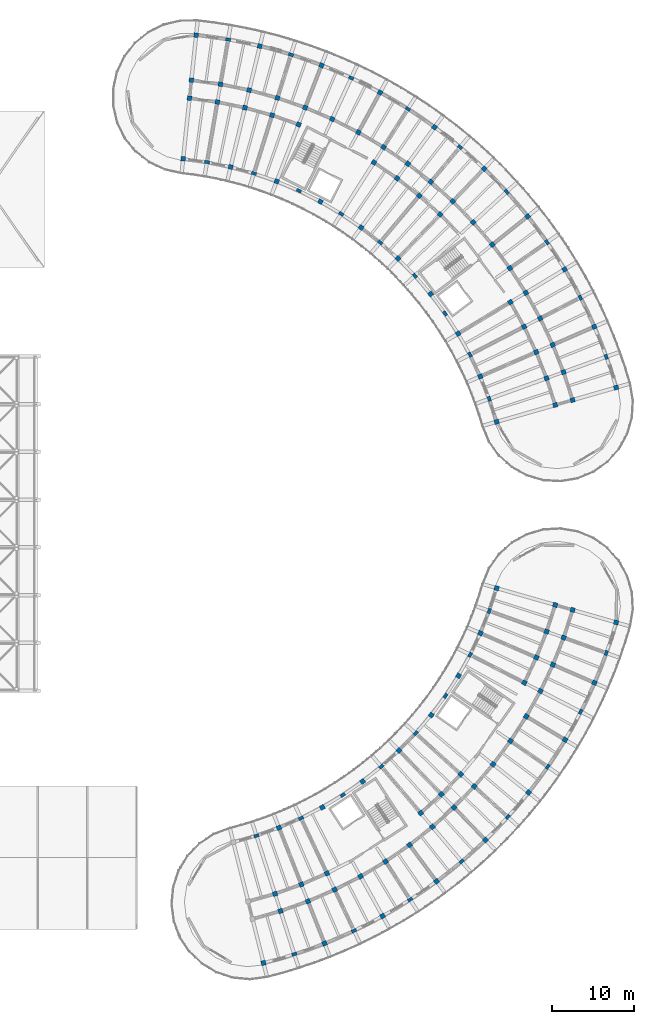
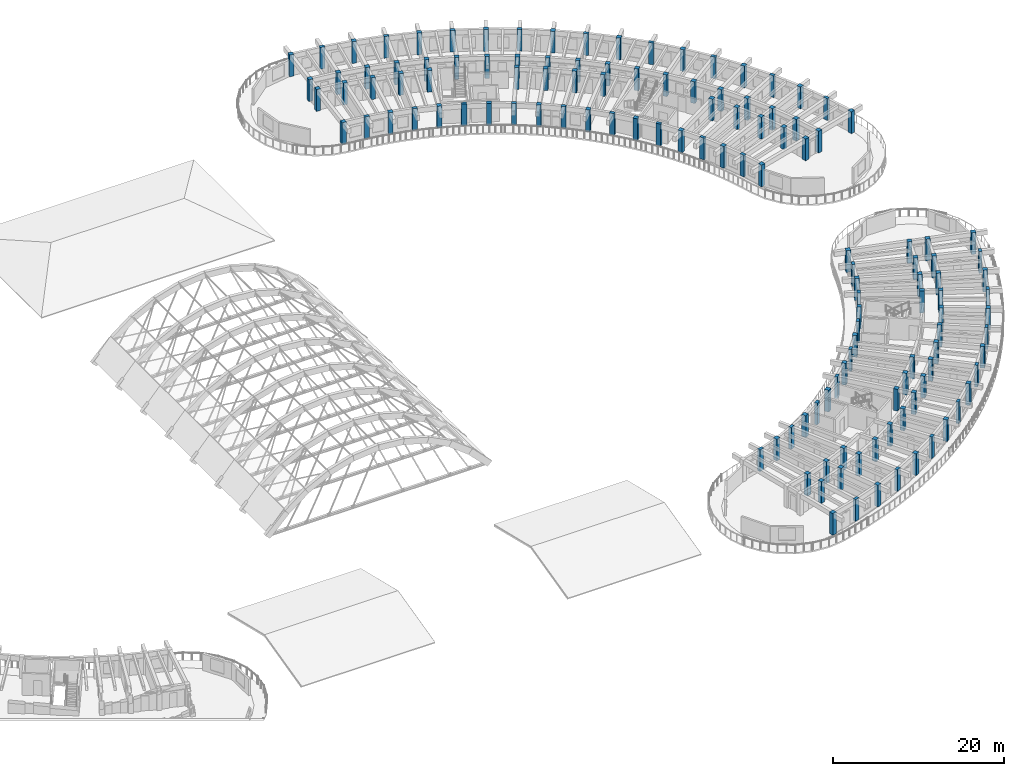
# One storey, part 3 of 81: 130 columns.
"""IFC4 building model written with IfcOpenShell, lengths in metres."""

from ifc_helpers import new_model, si_unit, direction, frame, origin, origin_2d, place, context, subcontext, project, spatial, rectangle, extrude, material, material_profile, profile_set, type_object, element, save


model = new_model("IFC4")

# Units and contexts
model_context = context("Model", 3, precision=1e-05, world=origin(), true_north=direction((0.0, 1.0)))
body_context = subcontext(model_context, "Body", "Model", "MODEL_VIEW")
ifc_project = project(units=[si_unit("LENGTHUNIT", "METRE"), si_unit("AREAUNIT", "SQUARE_METRE"), si_unit("VOLUMEUNIT", "CUBIC_METRE"), si_unit("PLANEANGLEUNIT", "RADIAN"), si_unit("MASSUNIT", "GRAM", prefix="KILO")], contexts=[model_context])

# Site, building, storey
site_placement = place(None, origin())
site = spatial("IfcSite", under=ifc_project, at=site_placement, CompositionType="ELEMENT")
building_placement = place(site_placement, origin())
building = spatial("IfcBuilding", under=site, at=building_placement, Name="Tanwirah Colonnade Gardens", CompositionType="ELEMENT")
storey_placement = place(building_placement, frame((0.0, 0.0, 8.840087890625)))
storey = spatial("IfcBuildingStorey", under=building, at=storey_placement, Name="L02", CompositionType="ELEMENT", Elevation=8.840087890625)

# Columns
ifc_material_1 = material(Name="Precast concrete C40/50", Category="concrete")
ifc_material_profile_1 = material_profile(ifc_material_1, rectangle(XDim=0.56005859375, YDim=0.56005859375, at=origin_2d()), Name="PC-COL 560x560")
ifc_profile_set_1 = profile_set([ifc_material_profile_1], Name="Precast concrete C40/50")
column_type_1 = type_object("IfcColumnType", Name="C-PC480", PredefinedType="COLUMN", material=ifc_profile_set_1)
for number, where, z_axis, x_axis, name in (
    (1, (135.406494140625, 6.718994140625, 0.0), (0.0, 0.0, 1.0), (0.2419218956, -0.970295726276, 0.0), "Block D L02 Column 0-R3"),
    (2, (136.80712890625, 15.1181640625, 0.0), (0.0, 0.0, 1.0), (0.304864299028, -0.952395799643, 0.0), "Block D L02 Column 1-R1"),
    (3, (137.47802734375, 13.02294921875, 0.0), (0.0, 0.0, 1.0), (0.304864299028, -0.952395799643, 0.0), "Block D L02 Column 1-R2"),
    (4, (137.291015625, 23.142822265625, 0.0), (0.0, 0.0, 1.0), (0.366501226724, -0.930417567982, 0.0), "Block D L02 Column 2-R0"),
    (5, (140.003173828125, 16.2578125, 0.0), (0.0, 0.0, 1.0), (0.366501226724, -0.930417567982, 0.0), "Block D L02 Column 2-R1"),
    (6, (140.809326171875, 14.2109375, 0.0), (0.0, 0.0, 1.0), (0.366501226724, -0.930417567982, 0.0), "Block D L02 Column 2-R2"),
    (7, (142.8251953125, 9.09375, 0.0), (0.0, 0.0, 1.0), (0.366501226724, -0.930417567982, 0.0), "Block D L02 Column 2-R3"),
    (8, (143.11767578125, 17.60400390625, 0.0), (0.0, 0.0, 1.0), (0.426568739901, -0.904455145454, 0.0), "Block D L02 Column 3-R1"),
    (9, (144.05615234375, 15.6142578125, 0.0), (0.0, 0.0, 1.0), (0.426568739901, -0.904455145454, 0.0), "Block D L02 Column 3-R2"),
    (10, (142.5498046875, 25.623046875, 0.0), (0.0, 0.0, 1.0), (0.484809620246, -0.874619707139, 0.0), "Block D L02 Column 4-R0"),
    (11, (147.203857421875, 17.226806640625, 0.0), (0.0, 0.0, 1.0), (0.484809620246, -0.874619707139, 0.0), "Block D L02 Column 4-R2"),
    (12, (149.870361328125, 12.41650390625, 0.0), (0.0, 0.0, 1.0), (0.484809620246, -0.874619707139, 0.0), "Block D L02 Column 4-R3"),
    (13, (150.23974609375, 19.041748046875, 0.0), (0.0, 0.0, 1.0), (0.540974471368, -0.841039012964, 0.0), "Block D L02 Column 5-R2"),
    (14, (147.43994140625, 28.7685546875, 0.0), (0.0, 0.0, 1.0), (0.594822786751, -0.803856860617, 0.0), "Block D L02 Column 6-R0"),
    (15, (153.150146484375, 21.051513671875, 0.0), (0.0, 0.0, 1.0), (0.594822786751, -0.803856860617, 0.0), "Block D L02 Column 6-R2"),
    (16, (156.421630859375, 16.63037109375, 0.0), (0.0, 0.0, 1.0), (0.594822786751, -0.803856860617, 0.0), "Block D L02 Column 6-R3"),
    (17, (154.50146484375, 24.926513671875, 0.0), (0.0, 0.0, 1.0), (0.646123979643, -0.763232469783, 0.0), "Block D L02 Column 7-R1"),
    (18, (155.923095703125, 23.247314453125, 0.0), (0.0, 0.0, 1.0), (0.646123979643, -0.763232469783, 0.0), "Block D L02 Column 7-R2"),
    (19, (151.877685546875, 32.525390625, 0.0), (0.0, 0.0, 1.0), (0.694658370459, -0.719339800339, 0.0), "Block D L02 Column 8-R0"),
    (20, (157.01806640625, 27.2021484375, 0.0), (0.0, 0.0, 1.0), (0.694658370459, -0.719339800339, 0.0), "Block D L02 Column 8-R1"),
    (21, (158.54638671875, 25.61962890625, 0.0), (0.0, 0.0, 1.0), (0.694658370459, -0.719339800339, 0.0), "Block D L02 Column 8-R2"),
    (22, (162.366943359375, 21.663330078125, 0.0), (0.0, 0.0, 1.0), (0.694658370459, -0.719339800339, 0.0), "Block D L02 Column 8-R3"),
    (23, (159.38037109375, 29.6376953125, 0.0), (0.0, 0.0, 1.0), (0.740218127487, -0.672366807435, 0.0), "Block D L02 Column 9-R1"),
    (24, (161.0087890625, 28.15869140625, 0.0), (0.0, 0.0, 1.0), (0.740218127487, -0.672366807435, 0.0), "Block D L02 Column 9-R2"),
    (25, (155.786865234375, 36.829345703125, 0.0), (0.0, 0.0, 1.0), (0.782608156852, -0.622514636638, 0.0), "Block D L02 Column 10-R0"),
    (26, (163.300048828125, 30.85302734375, 0.0), (0.0, 0.0, 1.0), (0.782608156852, -0.622514636638, 0.0), "Block D L02 Column 10-R2"),
    (27, (167.604248046875, 27.42919921875, 0.0), (0.0, 0.0, 1.0), (0.782608156852, -0.622514636638, 0.0), "Block D L02 Column 10-R3"),
    (28, (165.409912109375, 33.691650390625, 0.0), (0.0, 0.0, 1.0), (0.821646937942, -0.569996762596, 0.0), "Block D L02 Column 11-R2"),
    (29, (159.10107421875, 41.6064453125, 0.0), (0.0, 0.0, 1.0), (0.857167300702, -0.51503807491, 0.0), "Block D L02 Column 12-R0"),
    (30, (167.329833984375, 36.662109375, 0.0), (0.0, 0.0, 1.0), (0.857167300702, -0.51503807491, 0.0), "Block D L02 Column 12-R2"),
    (31, (172.04443359375, 33.82958984375, 0.0), (0.0, 0.0, 1.0), (0.857167300702, -0.51503807491, 0.0), "Block D L02 Column 12-R3"),
    (32, (167.095458984375, 40.75927734375, 0.0), (0.0, 0.0, 1.0), (0.889017141486, -0.457873915117, 0.0), "Block D L02 Column 13-R1"),
    (33, (169.05126953125, 39.751953125, 0.0), (0.0, 0.0, 1.0), (0.889017141486, -0.457873915117, 0.0), "Block D L02 Column 13-R2"),
    (34, (161.763427734375, 46.775634765625, 0.0), (0.0, 0.0, 1.0), (0.917060074385, -0.398749068925, 0.0), "Block D L02 Column 14-R0"),
    (35, (168.549560546875, 43.824951171875, 0.0), (0.0, 0.0, 1.0), (0.917060074385, -0.398749068925, 0.0), "Block D L02 Column 14-R1"),
    (36, (170.567138671875, 42.947509765625, 0.0), (0.0, 0.0, 1.0), (0.917060074385, -0.398749068925, 0.0), "Block D L02 Column 14-R2"),
    (37, (175.61083984375, 40.75439453125, 0.0), (0.0, 0.0, 1.0), (0.917060074385, -0.398749068925, 0.0), "Block D L02 Column 14-R3"),
    (38, (169.800048828125, 46.97900390625, 0.0), (0.0, 0.0, 1.0), (0.941176015256, -0.337916718003, 0.0), "Block D L02 Column 15-R1"),
    (39, (171.87060546875, 46.235595703125, 0.0), (0.0, 0.0, 1.0), (0.941176015256, -0.337916718003, 0.0), "Block D L02 Column 15-R2"),
    (40, (163.72802734375, 52.247802734375, 0.0), (0.0, 0.0, 1.0), (0.961261695938, -0.275637355817, 0.0), "Block D L02 Column 16-R0"),
    (41, (170.84130859375, 50.208251953125, 0.0), (0.0, 0.0, 1.0), (0.961261695938, -0.275637355817, 0.0), "Block D L02 Column 16-R1"),
    (42, (172.956298828125, 49.601806640625, 0.0), (0.0, 0.0, 1.0), (0.961261695938, -0.275637355817, 0.0), "Block D L02 Column 16-R2"),
    (43, (178.2431640625, 48.085693359375, 0.0), (0.0, 0.0, 1.0), (0.961261695938, -0.275637355817, 0.0), "Block D L02 Column 16-R3"),
):
    element("IfcColumn", number, at=place(storey_placement, frame(where, z_axis=z_axis, x_axis=x_axis)), inside=storey, type_object=column_type_1, Name=name, PredefinedType="COLUMN", context=body_context, shape_type="SweptSolid", body=[
        extrude(rectangle(XDim=0.56005859375, YDim=0.56005859375, at=origin_2d()), origin(), (0.0, 0.0, 1.0), 3.10498046875),
    ])
ifc_material_2 = material(Name="Precast concrete C45/55", Category="concrete")
ifc_material_profile_2 = material_profile(ifc_material_2, rectangle(XDim=0.550048828125, YDim=0.550048828125, at=origin_2d()), Name="PC-COL 550x550")
ifc_profile_set_2 = profile_set([ifc_material_profile_2], Name="Precast concrete C45/55")
column_type_2 = type_object("IfcColumnType", Name="C-PC550", PredefinedType="COLUMN", material=ifc_profile_set_2)
for number, where, z_axis, x_axis, name in (
    (44, (163.72802734375, 72.4521484375, 0.0), (0.0, 0.0, 1.0), (0.961261695938, 0.275637355817, 0.0), "Block B L02 Column 0-R0"),
    (45, (170.84130859375, 74.49169921875, 0.0), (0.0, 0.0, 1.0), (0.961261695938, 0.275637355817, 0.0), "Block B L02 Column 0-R1"),
    (46, (172.956298828125, 75.09814453125, 0.0), (0.0, 0.0, 1.0), (0.961261695938, 0.275637355817, 0.0), "Block B L02 Column 0-R2"),
    (47, (178.2431640625, 76.6142578125, 0.0), (0.0, 0.0, 1.0), (0.961261695938, 0.275637355817, 0.0), "Block B L02 Column 0-R3"),
    (48, (169.79150390625, 77.74462890625, 0.0), (0.0, 0.0, 1.0), (0.941012076693, 0.338372976931, 0.0), "Block B L02 Column 1-R1"),
    (49, (171.86181640625, 78.489013671875, 0.0), (0.0, 0.0, 1.0), (0.941012076693, 0.338372976931, 0.0), "Block B L02 Column 1-R2"),
    (50, (161.74609375, 77.9638671875, 0.0), (0.0, 0.0, 1.0), (0.916673002238, 0.39963809499, 0.0), "Block B L02 Column 2-R0"),
    (51, (168.529541015625, 80.921142578125, 0.0), (0.0, 0.0, 1.0), (0.916673002238, 0.39963809499, 0.0), "Block B L02 Column 2-R1"),
    (52, (170.546142578125, 81.800537109375, 0.0), (0.0, 0.0, 1.0), (0.916673002238, 0.39963809499, 0.0), "Block B L02 Column 2-R2"),
    (53, (175.587890625, 83.99853515625, 0.0), (0.0, 0.0, 1.0), (0.916673002238, 0.39963809499, 0.0), "Block B L02 Column 2-R3"),
    (54, (167.06103515625, 84.0078125, 0.0), (0.0, 0.0, 1.0), (0.88835024545, 0.459166463723, 0.0), "Block B L02 Column 3-R1"),
    (55, (169.015380859375, 85.01806640625, 0.0), (0.0, 0.0, 1.0), (0.88835024545, 0.459166463723, 0.0), "Block B L02 Column 3-R2"),
    (56, (159.056640625, 83.167236328125, 0.0), (0.0, 0.0, 1.0), (0.856166891514, 0.516699384434, 0.0), "Block B L02 Column 4-R0"),
    (57, (165.392333984375, 86.990966796875, 0.0), (0.0, 0.0, 1.0), (0.856166891514, 0.516699384434, 0.0), "Block B L02 Column 4-R1"),
    (58, (167.27587890625, 88.127685546875, 0.0), (0.0, 0.0, 1.0), (0.856166891514, 0.516699384434, 0.0), "Block B L02 Column 4-R2"),
    (59, (171.984619140625, 90.969482421875, 0.0), (0.0, 0.0, 1.0), (0.856166891514, 0.516699384434, 0.0), "Block B L02 Column 4-R3"),
    (60, (165.335205078125, 91.115966796875, 0.0), (0.0, 0.0, 1.0), (0.820262803018, 0.571986830255, 0.0), "Block B L02 Column 5-R2"),
    (61, (155.706298828125, 87.971923828125, 0.0), (0.0, 0.0, 1.0), (0.780794012137, 0.624788532714, 0.0), "Block B L02 Column 6-R0"),
    (62, (163.201904296875, 93.9697265625, 0.0), (0.0, 0.0, 1.0), (0.780794012137, 0.624788532714, 0.0), "Block B L02 Column 6-R2"),
    (63, (167.496337890625, 97.40625, 0.0), (0.0, 0.0, 1.0), (0.780794012137, 0.624788532714, 0.0), "Block B L02 Column 6-R3"),
    (64, (160.88525390625, 96.677001953125, 0.0), (0.0, 0.0, 1.0), (0.73793204255, 0.674875025896, 0.0), "Block B L02 Column 7-R2"),
    (65, (151.75341796875, 92.294189453125, 0.0), (0.0, 0.0, 1.0), (0.691863164029, 0.722028643656, 0.0), "Block B L02 Column 8-R0"),
    (66, (156.873046875, 97.63720703125, 0.0), (0.0, 0.0, 1.0), (0.691863164029, 0.722028643656, 0.0), "Block B L02 Column 8-R1"),
    (67, (158.395263671875, 99.2255859375, 0.0), (0.0, 0.0, 1.0), (0.691863164029, 0.722028643656, 0.0), "Block B L02 Column 8-R2"),
    (68, (162.200439453125, 103.19677734375, 0.0), (0.0, 0.0, 1.0), (0.691863164029, 0.722028643656, 0.0), "Block B L02 Column 8-R3"),
    (69, (154.32861328125, 99.91943359375, 0.0), (0.0, 0.0, 1.0), (0.642787582947, 0.766044465556, 0.0), "Block B L02 Column 9-R1"),
    (70, (155.74267578125, 101.604736328125, 0.0), (0.0, 0.0, 1.0), (0.642787582947, 0.766044465556, 0.0), "Block B L02 Column 9-R2"),
    (71, (147.266357421875, 96.05908203125, 0.0), (0.0, 0.0, 1.0), (0.590918572221, 0.806731207407, 0.0), "Block B L02 Column 10-R0"),
    (72, (151.63916015625, 102.029052734375, 0.0), (0.0, 0.0, 1.0), (0.590918572221, 0.806731207407, 0.0), "Block B L02 Column 10-R1"),
    (73, (152.939208984375, 103.8037109375, 0.0), (0.0, 0.0, 1.0), (0.590918572221, 0.806731207407, 0.0), "Block B L02 Column 10-R2"),
    (74, (156.189208984375, 108.24072265625, 0.0), (0.0, 0.0, 1.0), (0.590918572221, 0.806731207407, 0.0), "Block B L02 Column 10-R3"),
    (75, (148.816650390625, 103.956787109375, 0.0), (0.0, 0.0, 1.0), (0.536481544469, 0.843912052553, 0.0), "Block B L02 Column 11-R1"),
    (76, (149.996826171875, 105.8134765625, 0.0), (0.0, 0.0, 1.0), (0.536481544469, 0.843912052553, 0.0), "Block B L02 Column 11-R2"),
    (77, (142.3232421875, 99.20166015625, 0.0), (0.0, 0.0, 1.0), (0.479713072413, 0.877425420281, 0.0), "Block B L02 Column 12-R0"),
    (78, (146.928466796875, 107.624755859375, 0.0), (0.0, 0.0, 1.0), (0.479713072413, 0.877425420281, 0.0), "Block B L02 Column 12-R2"),
    (79, (149.56689453125, 112.45068359375, 0.0), (0.0, 0.0, 1.0), (0.479713072413, 0.877425420281, 0.0), "Block B L02 Column 12-R3"),
    (80, (143.74755859375, 109.230224609375, 0.0), (0.0, 0.0, 1.0), (0.420859860775, 0.907125668024, 0.0), "Block B L02 Column 13-R2"),
    (81, (137.010009765625, 101.666748046875, 0.0), (0.0, 0.0, 1.0), (0.36017767415, 0.932883724289, 0.0), "Block B L02 Column 14-R0"),
    (82, (139.67529296875, 108.570068359375, 0.0), (0.0, 0.0, 1.0), (0.36017767415, 0.932883724289, 0.0), "Block B L02 Column 14-R1"),
    (83, (140.467529296875, 110.622314453125, 0.0), (0.0, 0.0, 1.0), (0.36017767415, 0.932883724289, 0.0), "Block B L02 Column 14-R2"),
    (84, (142.448486328125, 115.753173828125, 0.0), (0.0, 0.0, 1.0), (0.36017767415, 0.932883724289, 0.0), "Block B L02 Column 14-R3"),
    (85, (136.44775390625, 109.6953125, 0.0), (0.0, 0.0, 1.0), (0.297930225503, 0.954587649581, 0.0), "Block B L02 Column 15-R1"),
    (86, (137.10302734375, 111.79541015625, 0.0), (0.0, 0.0, 1.0), (0.297930225503, 0.954587649581, 0.0), "Block B L02 Column 15-R2"),
    (87, (131.41845703125, 103.411865234375, 0.0), (0.0, 0.0, 1.0), (0.234388030122, 0.972143122866, 0.0), "Block B L02 Column 16-R0"),
    (88, (133.153076171875, 110.605712890625, 0.0), (0.0, 0.0, 1.0), (0.234388030122, 0.972143122866, 0.0), "Block B L02 Column 16-R1"),
    (89, (133.668701171875, 112.744384765625, 0.0), (0.0, 0.0, 1.0), (0.234388030122, 0.972143122866, 0.0), "Block B L02 Column 16-R2"),
    (90, (134.957763671875, 118.091064453125, 0.0), (0.0, 0.0, 1.0), (0.234388030122, 0.972143122866, 0.0), "Block B L02 Column 16-R3"),
    (91, (129.8056640625, 111.296875, 0.0), (0.0, 0.0, 1.0), (0.169827230012, 0.985473851478, 0.0), "Block B L02 Column 17-R1"),
    (92, (130.17919921875, 113.46484375, 0.0), (0.0, 0.0, 1.0), (0.169827230012, 0.985473851478, 0.0), "Block B L02 Column 17-R2"),
    (93, (125.646240234375, 104.406494140625, 0.0), (0.0, 0.0, 1.0), (0.104528393837, 0.994521902666, 0.0), "Block B L02 Column 18-R0"),
    (94, (126.419677734375, 111.765869140625, 0.0), (0.0, 0.0, 1.0), (0.104528393837, 0.994521902666, 0.0), "Block B L02 Column 18-R1"),
    (95, (126.649658203125, 113.953857421875, 0.0), (0.0, 0.0, 1.0), (0.104528393837, 0.994521902666, 0.0), "Block B L02 Column 18-R2"),
    (96, (127.224609375, 119.423828125, 0.0), (0.0, 0.0, 1.0), (0.104528393837, 0.994521902666, 0.0), "Block B L02 Column 18-R3"),
):
    element("IfcColumn", number, at=place(storey_placement, frame(where, z_axis=z_axis, x_axis=x_axis)), inside=storey, type_object=column_type_2, Name=name, PredefinedType="COLUMN", context=body_context, shape_type="SweptSolid", body=[
        extrude(rectangle(XDim=0.550048828125, YDim=0.550048828125, at=origin_2d()), origin(), (0.0, 0.0, 1.0), 3.10498046875),
    ])
ifc_material_profile_3 = material_profile(ifc_material_1, rectangle(XDim=0.3798828125, YDim=0.6201171875, at=origin_2d()), Name="PC-PIL 380x620")
ifc_profile_set_3 = profile_set([ifc_material_profile_3], Name="Precast concrete C40/50")
column_type_3 = type_object("IfcColumnType", Name="PIL-380", PredefinedType="PILASTER", material=ifc_profile_set_3)
for number, where, z_axis, x_axis, name in (
    (97, (162.827880859375, 75.24072265625, 0.0), (0.0, 0.0, 1.0), (0.941012076693, 0.338372976931, 0.0), "Block B L02 Column 1-R0"),
    (98, (177.037353515625, 80.35009765625, 0.0), (0.0, 0.0, 1.0), (0.941012076693, 0.338372976931, 0.0), "Block B L02 Column 1-R3"),
    (99, (160.487060546875, 80.60986328125, 0.0), (0.0, 0.0, 1.0), (0.88835024545, 0.459166463723, 0.0), "Block B L02 Column 3-R0"),
    (100, (173.9013671875, 87.54345703125, 0.0), (0.0, 0.0, 1.0), (0.88835024545, 0.459166463723, 0.0), "Block B L02 Column 3-R3"),
    (101, (157.460693359375, 85.624755859375, 0.0), (0.0, 0.0, 1.0), (0.820262803018, 0.571986830255, 0.0), "Block B L02 Column 5-R0"),
    (102, (169.8466796875, 94.26171875, 0.0), (0.0, 0.0, 1.0), (0.820262803018, 0.571986830255, 0.0), "Block B L02 Column 5-R3"),
    (103, (153.801025390625, 90.1982421875, 0.0), (0.0, 0.0, 1.0), (0.73793204255, 0.674875025896, 0.0), "Block B L02 Column 7-R0"),
    (104, (164.94384765625, 100.388916015625, 0.0), (0.0, 0.0, 1.0), (0.73793204255, 0.674875025896, 0.0), "Block B L02 Column 7-R3"),
    (105, (149.572021484375, 94.250732421875, 0.0), (0.0, 0.0, 1.0), (0.642787582947, 0.766044465556, 0.0), "Block B L02 Column 9-R0"),
    (106, (159.278076171875, 105.81787109375, 0.0), (0.0, 0.0, 1.0), (0.642787582947, 0.766044465556, 0.0), "Block B L02 Column 9-R3"),
    (107, (144.8466796875, 97.7119140625, 0.0), (0.0, 0.0, 1.0), (0.536481544469, 0.843912052553, 0.0), "Block B L02 Column 11-R0"),
    (108, (152.947509765625, 110.455078125, 0.0), (0.0, 0.0, 1.0), (0.536481544469, 0.843912052553, 0.0), "Block B L02 Column 11-R3"),
    (109, (139.707275390625, 100.521728515625, 0.0), (0.0, 0.0, 1.0), (0.420859860775, 0.907125668024, 0.0), "Block B L02 Column 13-R0"),
    (110, (146.062255859375, 114.21923828125, 0.0), (0.0, 0.0, 1.0), (0.420859860775, 0.907125668024, 0.0), "Block B L02 Column 13-R3"),
    (111, (134.242919921875, 102.63134765625, 0.0), (0.0, 0.0, 1.0), (0.297930225503, 0.954587649581, 0.0), "Block B L02 Column 15-R0"),
    (112, (138.74169921875, 117.045654296875, 0.0), (0.0, 0.0, 1.0), (0.297930225503, 0.954587649581, 0.0), "Block B L02 Column 15-R3"),
    (113, (128.548828125, 104.00439453125, 0.0), (0.0, 0.0, 1.0), (0.169827230012, 0.985473851478, 0.0), "Block B L02 Column 17-R0"),
    (114, (131.11328125, 118.885009765625, 0.0), (0.0, 0.0, 1.0), (0.169827230012, 0.985473851478, 0.0), "Block B L02 Column 17-R3"),
    (115, (134.55126953125, 22.166015625, 0.0), (0.0, 0.0, 1.0), (0.304864299028, -0.952395799643, 0.0), "Block D L02 Column 1-R0"),
    (116, (139.15478515625, 7.784912109375, 0.0), (0.0, 0.0, 1.0), (0.304864299028, -0.952395799643, 0.0), "Block D L02 Column 1-R3"),
    (117, (139.9609375, 24.296875, 0.0), (0.0, 0.0, 1.0), (0.426568739901, -0.904455145454, 0.0), "Block D L02 Column 3-R0"),
    (118, (146.402099609375, 10.6396484375, 0.0), (0.0, 0.0, 1.0), (0.426568739901, -0.904455145454, 0.0), "Block D L02 Column 3-R3"),
    (119, (145.04638671875, 27.11572265625, 0.0), (0.0, 0.0, 1.0), (0.540974471368, -0.841039012964, 0.0), "Block D L02 Column 5-R0"),
    (120, (153.215087890625, 14.416015625, 0.0), (0.0, 0.0, 1.0), (0.540974471368, -0.841039012964, 0.0), "Block D L02 Column 5-R3"),
    (121, (149.72021484375, 30.57421875, 0.0), (0.0, 0.0, 1.0), (0.646123979643, -0.763232469783, 0.0), "Block D L02 Column 7-R0"),
    (122, (159.4765625, 19.049560546875, 0.0), (0.0, 0.0, 1.0), (0.646123979643, -0.763232469783, 0.0), "Block D L02 Column 7-R3"),
    (123, (153.902587890625, 34.61328125, 0.0), (0.0, 0.0, 1.0), (0.740218127487, -0.672366807435, 0.0), "Block D L02 Column 9-R0"),
    (124, (165.080078125, 24.46044921875, 0.0), (0.0, 0.0, 1.0), (0.740218127487, -0.672366807435, 0.0), "Block D L02 Column 9-R3"),
    (125, (157.522216796875, 39.16357421875, 0.0), (0.0, 0.0, 1.0), (0.821646937942, -0.569996762596, 0.0), "Block D L02 Column 11-R0"),
    (126, (169.928955078125, 30.556640625, 0.0), (0.0, 0.0, 1.0), (0.821646937942, -0.569996762596, 0.0), "Block D L02 Column 11-R3"),
    (127, (160.516845703125, 44.1474609375, 0.0), (0.0, 0.0, 1.0), (0.889017141486, -0.457873915117, 0.0), "Block D L02 Column 13-R0"),
    (128, (173.94091796875, 37.233642578125, 0.0), (0.0, 0.0, 1.0), (0.889017141486, -0.457873915117, 0.0), "Block D L02 Column 13-R3"),
    (129, (162.835205078125, 49.4794921875, 0.0), (0.0, 0.0, 1.0), (0.941176015256, -0.337916718003, 0.0), "Block D L02 Column 15-R0"),
    (130, (177.047119140625, 44.376953125, 0.0), (0.0, 0.0, 1.0), (0.941176015256, -0.337916718003, 0.0), "Block D L02 Column 15-R3"),
):
    element("IfcColumn", number, at=place(storey_placement, frame(where, z_axis=z_axis, x_axis=x_axis)), inside=storey, type_object=column_type_3, Name=name, PredefinedType="PILASTER", context=body_context, shape_type="SweptSolid", body=[
        extrude(rectangle(XDim=0.3798828125, YDim=0.6201171875, at=origin_2d()), origin(), (0.0, 0.0, 1.0), 3.10498046875),
    ])

save(model, "model.ifc")
